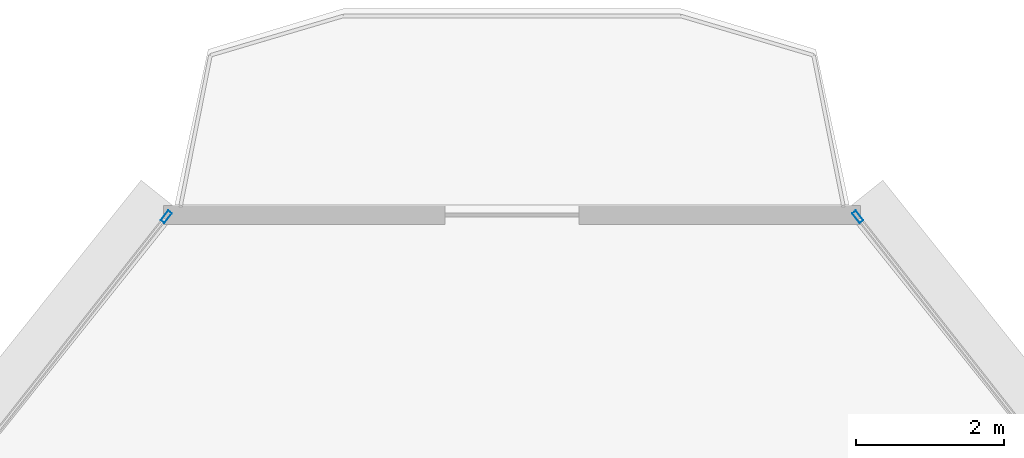
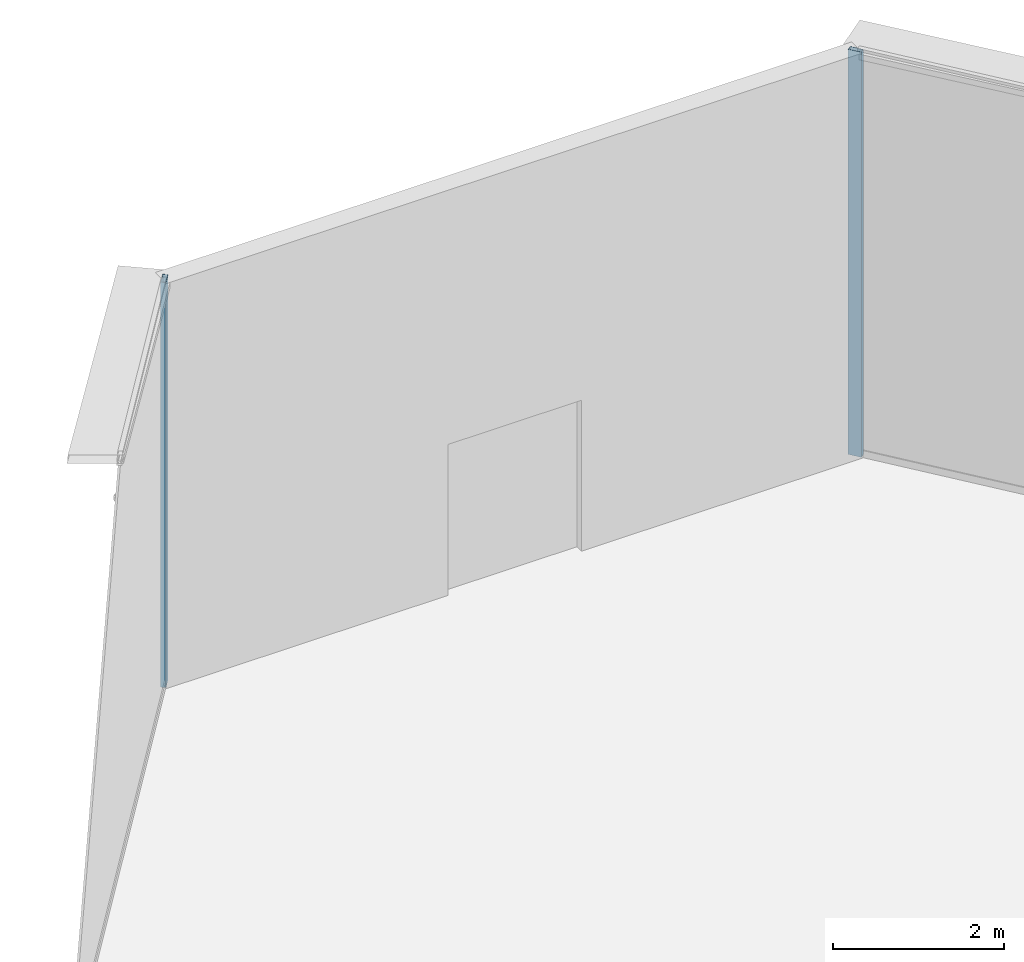
# One storey, part 27 of 41: 2 members, 2 elements without a shape of their own.
"""IFC4 building model written with IfcOpenShell, lengths in metres."""

from ifc_helpers import new_model, si_unit, direction, frame, origin, origin_2d, place, context, subcontext, project, spatial, hollow_rectangle, extrude, source, transform, mapped, material, layer, layer_set, material_profile, profile_set, type_object, element, aggregate, save


model = new_model("IFC4")

# Units and contexts
model_context = context("Model", 3, precision=1e-05, world=origin(), true_north=direction((0.0, 1.0)))
body_context = subcontext(model_context, "Body", "Model", "MODEL_VIEW")
ifc_project = project(units=[si_unit("LENGTHUNIT", "METRE"), si_unit("AREAUNIT", "SQUARE_METRE"), si_unit("VOLUMEUNIT", "CUBIC_METRE"), si_unit("PLANEANGLEUNIT", "RADIAN"), si_unit("MASSUNIT", "GRAM", prefix="KILO"), si_unit("THERMODYNAMICTEMPERATUREUNIT", "KELVIN"), si_unit("POWERUNIT", "WATT")], contexts=[model_context])

# Site, building, storey
site_placement = place(None, origin())
site = spatial("IfcSite", under=ifc_project, at=site_placement, CompositionType="ELEMENT")
building_placement = place(site_placement, origin())
building = spatial("IfcBuilding", under=site, at=building_placement, Name="Yunzhuo Pagoda Commons", CompositionType="ELEMENT")
storey_placement = place(building_placement, frame((0.0, 0.0, 70.330078125)))
storey = spatial("IfcBuildingStorey", under=building, at=storey_placement, Name="L18", CompositionType="ELEMENT", Elevation=70.330078125)

# Curtain wall, member
ifc_material = material(Name="Anodized aluminium 6063-T6", Category="aluminium")
ifc_layer = layer(ifc_material, 0.1650390625)
ifc_layer_set = layer_set([ifc_layer], Name="Anodized aluminium 6063-T6")
curtain_wall_type = type_object("IfcCurtainWallType", Name="CW-LOW Low-Zone Ribbon Curtain Wall", PredefinedType="NOTDEFINED", material=ifc_layer_set)
curtain_wall_1_placement = place(storey_placement, origin())
curtain_wall_1 = element("IfcCurtainWall", 1, at=curtain_wall_1_placement, inside=storey, type_object=curtain_wall_type, Name="L18 curtain wall CW-L18-F2B5", PredefinedType="NOTDEFINED")
ifc_material_profile = material_profile(ifc_material, hollow_rectangle(XDim=0.06494140625, YDim=0.1650390625, WallThickness=0.00390625, at=origin_2d()), Name="Anodized aluminium 6063-T6")
ifc_profile_set = profile_set([ifc_material_profile], Name="Anodized aluminium 6063-T6")
member_type = type_object("IfcMemberType", Name="CW-LOW-M Mullion RHS 165x65x4", PredefinedType="MULLION", material=ifc_profile_set)
shared_shape = source(origin(), body_context, "Body", "SweptSolid", [
    extrude(hollow_rectangle(XDim=0.06494140625, YDim=0.1650390625, WallThickness=0.00390625, at=origin_2d()), origin(), (0.0, 0.0, 1.0), 5.77001953125),
])
member_1_placement = place(storey_placement, frame((52.657958984375, 87.709716796875, 0.0), z_axis=(0.0, 0.0, 1.0), x_axis=(-0.78604582322, -0.618168232602, 0.0)))
member_1 = element("IfcMember", 2, at=member_1_placement, type_object=member_type, Name="CW mullion 2", PredefinedType="MULLION", context=body_context, shape_type="MappedRepresentation", body=[
    mapped(shared_shape, transform((0.0, 0.0, 0.0), scale=1.0)),
])
aggregate(curtain_wall_1, [member_1])

curtain_wall_2_placement = place(storey_placement, origin())
curtain_wall_2 = element("IfcCurtainWall", 3, at=curtain_wall_2_placement, inside=storey, type_object=curtain_wall_type, Name="L18 curtain wall CW-L18-F3B1", PredefinedType="NOTDEFINED")
member_2_placement = place(storey_placement, frame((43.342041015625, 87.709716796875, 0.0), z_axis=(0.0, 0.0, 1.0), x_axis=(0.78604582322, -0.618168232602, 0.0)))
member_2 = element("IfcMember", 4, at=member_2_placement, type_object=member_type, Name="CW mullion 1", PredefinedType="MULLION", context=body_context, shape_type="MappedRepresentation", body=[
    mapped(shared_shape, transform((0.0, 0.0, 0.0), scale=1.0)),
])
aggregate(curtain_wall_2, [member_2])

save(model, "model.ifc")
